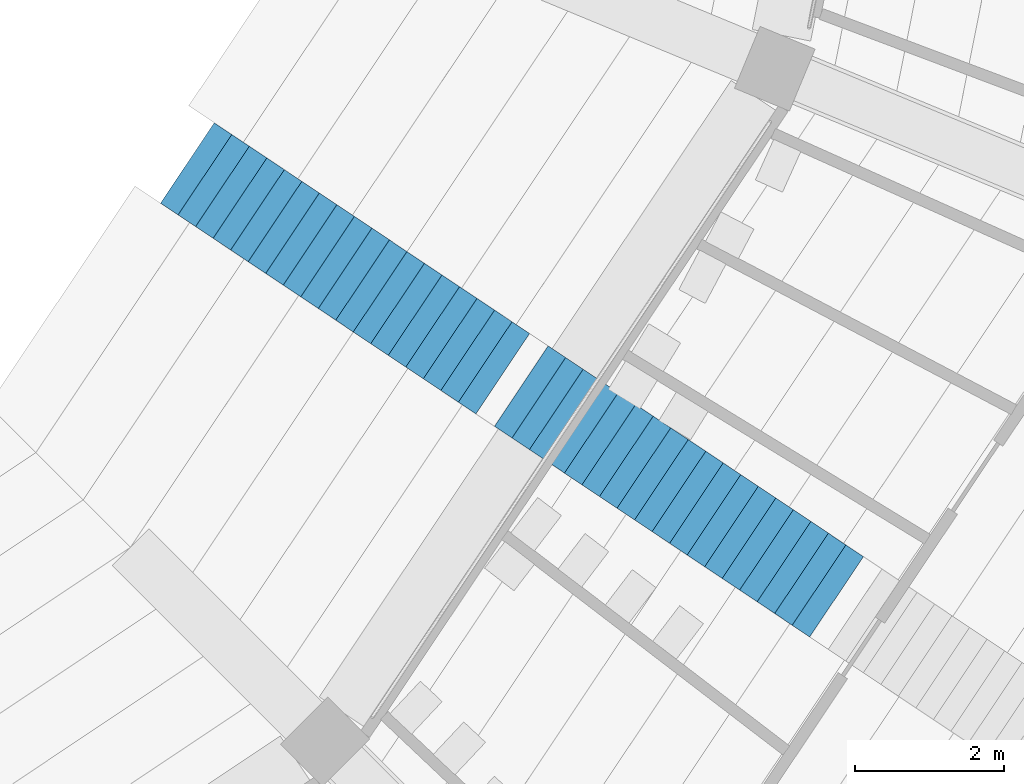
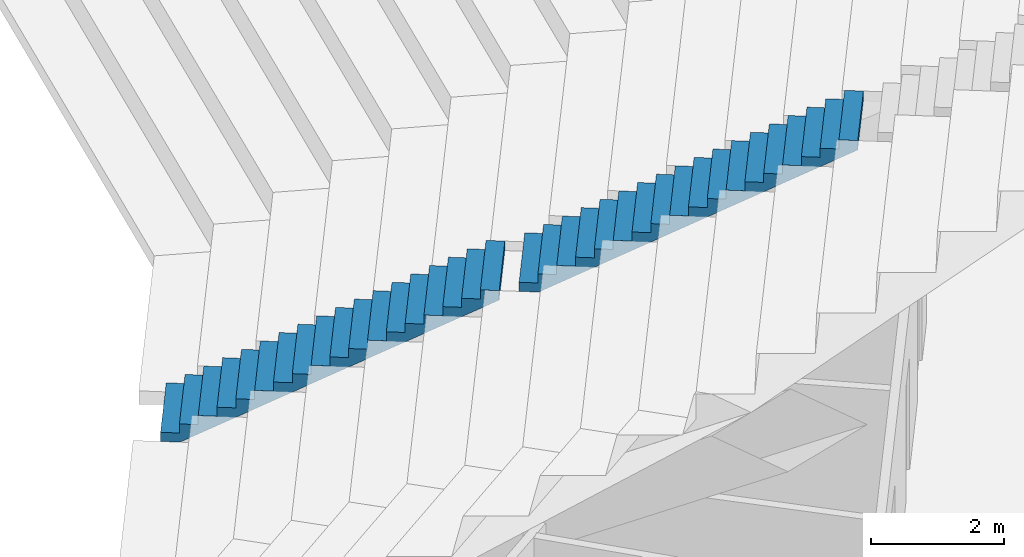
# One storey, part 173 of 249: 2 stair flights, 1 element without a shape of its own.
"""IFC4 building model written with IfcOpenShell, lengths in metres."""

from ifc_helpers import new_model, si_unit, direction, frame, origin, place, context, subcontext, project, spatial, faceted_brep, material, type_object, element, aggregate, save


model = new_model("IFC4")

# Units and contexts
model_context = context("Model", 3, precision=1e-05, world=origin(), true_north=direction((0.0, 1.0)))
body_context = subcontext(model_context, "Body", "Model", "MODEL_VIEW")
ifc_project = project(units=[si_unit("LENGTHUNIT", "METRE"), si_unit("AREAUNIT", "SQUARE_METRE"), si_unit("VOLUMEUNIT", "CUBIC_METRE"), si_unit("PLANEANGLEUNIT", "RADIAN"), si_unit("MASSUNIT", "GRAM", prefix="KILO")], contexts=[model_context])

# Site, building, storey
site_placement = place(None, origin())
site = spatial("IfcSite", under=ifc_project, at=site_placement, CompositionType="ELEMENT")
building_placement = place(site_placement, origin())
building = spatial("IfcBuilding", under=site, at=building_placement, Name="Ogive Plaza Stadium", CompositionType="ELEMENT")
storey_placement = place(building_placement, frame((0.0, 0.0, 13.5)))
storey = spatial("IfcBuildingStorey", under=building, at=storey_placement, Name="L03", CompositionType="ELEMENT", Elevation=13.5)

# Stair, stair flights
ifc_material_1 = material(Name="Concrete C40/50", Category="concrete")
stair_type = type_object("IfcStairType", Name="Aisle stair", PredefinedType="STRAIGHT_RUN_STAIR", material=ifc_material_1)
stair_placement = place(storey_placement, origin())
stair = element("IfcStair", 1, at=stair_placement, inside=storey, type_object=stair_type, Name="Aisle stair SA09U", PredefinedType="STRAIGHT_RUN_STAIR")
ifc_material_2 = material(Name="Concrete C40/50", Category="concrete")
stair_flight_type = type_object("IfcStairFlightType", Name="Aisle stair flight", PredefinedType="STRAIGHT", material=ifc_material_2)
stair_flight_1_placement = place(storey_placement, frame((51.876708984375, -64.44482421875, 0.5), z_axis=(0.0, 0.0, 1.0), x_axis=(0.831469612303, -0.55557023302, 0.0)))
stair_flight_1 = element("IfcStairFlight", 2, at=stair_flight_1_placement, type_object=stair_flight_type, Name="SA09U flight 1", NumberOfRisers=18, NumberOfTreads=17, PredefinedType="STRAIGHT", RiserHeight=0.166666667, TreadLength=0.283333333, context=body_context, shape_type="Brep", body=[
    faceted_brep([(0.295654296875, -0.64990234375, 0.0), (5.10009765625, -0.64990234375, 2.826171875), (5.10009765625, -0.64990234375, 3.0), (4.816650390625, -0.64990234375, 3.0), (4.816650390625, -0.64990234375, 2.833251953125), (4.533447265625, -0.64990234375, 2.833251953125), (4.533447265625, -0.64990234375, 2.666748046875), (4.25, -0.64990234375, 2.666748046875), (4.25, -0.64990234375, 2.5), (3.966552734375, -0.64990234375, 2.5), (3.966552734375, -0.64990234375, 2.333251953125), (3.683349609375, -0.64990234375, 2.333251953125), (3.683349609375, -0.64990234375, 2.166748046875), (3.39990234375, -0.64990234375, 2.166748046875), (3.39990234375, -0.64990234375, 2.0), (3.11669921875, -0.64990234375, 2.0), (3.11669921875, -0.64990234375, 1.833251953125), (2.833251953125, -0.64990234375, 1.833251953125), (2.833251953125, -0.64990234375, 1.666748046875), (2.550048828125, -0.64990234375, 1.666748046875), (2.550048828125, -0.64990234375, 1.5), (2.2666015625, -0.64990234375, 1.5), (2.2666015625, -0.64990234375, 1.333251953125), (1.9833984375, -0.64990234375, 1.333251953125), (1.9833984375, -0.64990234375, 1.166748046875), (1.699951171875, -0.64990234375, 1.166748046875), (1.699951171875, -0.64990234375, 1.0), (1.416748046875, -0.64990234375, 1.0), (1.416748046875, -0.64990234375, 0.833251953125), (1.13330078125, -0.64990234375, 0.833251953125), (1.13330078125, -0.64990234375, 0.666748046875), (0.85009765625, -0.64990234375, 0.666748046875), (0.85009765625, -0.64990234375, 0.5), (0.566650390625, -0.64990234375, 0.5), (0.566650390625, -0.64990234375, 0.333251953125), (0.283447265625, -0.64990234375, 0.333251953125), (0.283447265625, -0.64990234375, 0.166748046875), (0.0, -0.64990234375, 0.166748046875), (0.0, -0.64990234375, 0.0), (0.0, 0.64990234375, 0.0), (0.0, 0.64990234375, 0.166748046875), (0.283447265625, 0.64990234375, 0.166748046875), (0.283447265625, 0.64990234375, 0.333251953125), (0.566650390625, 0.64990234375, 0.333251953125), (0.566650390625, 0.64990234375, 0.5), (0.85009765625, 0.64990234375, 0.5), (0.85009765625, 0.64990234375, 0.666748046875), (1.13330078125, 0.64990234375, 0.666748046875), (1.13330078125, 0.64990234375, 0.833251953125), (1.416748046875, 0.64990234375, 0.833251953125), (1.416748046875, 0.64990234375, 1.0), (1.699951171875, 0.64990234375, 1.0), (1.699951171875, 0.64990234375, 1.166748046875), (1.9833984375, 0.64990234375, 1.166748046875), (1.9833984375, 0.64990234375, 1.333251953125), (2.2666015625, 0.64990234375, 1.333251953125), (2.2666015625, 0.64990234375, 1.5), (2.550048828125, 0.64990234375, 1.5), (2.550048828125, 0.64990234375, 1.666748046875), (2.833251953125, 0.64990234375, 1.666748046875), (2.833251953125, 0.64990234375, 1.833251953125), (3.11669921875, 0.64990234375, 1.833251953125), (3.11669921875, 0.64990234375, 2.0), (3.39990234375, 0.64990234375, 2.0), (3.39990234375, 0.64990234375, 2.166748046875), (3.683349609375, 0.64990234375, 2.166748046875), (3.683349609375, 0.64990234375, 2.333251953125), (3.966552734375, 0.64990234375, 2.333251953125), (3.966552734375, 0.64990234375, 2.5), (4.25, 0.64990234375, 2.5), (4.25, 0.64990234375, 2.666748046875), (4.533447265625, 0.64990234375, 2.666748046875), (4.533447265625, 0.64990234375, 2.833251953125), (4.816650390625, 0.64990234375, 2.833251953125), (4.816650390625, 0.64990234375, 3.0), (5.10009765625, 0.64990234375, 3.0), (5.10009765625, 0.64990234375, 2.826171875), (0.295654296875, 0.64990234375, 0.0), (0.295654296875, -0.324951171875, 0.0), (5.10009765625, -0.324951171875, 2.826171875), (0.295654296875, 0.0, 0.0), (5.10009765625, 0.0, 2.826171875), (0.295654296875, 0.324951171875, 0.0), (5.10009765625, 0.324951171875, 2.826171875), (5.10009765625, -0.324951171875, 3.0), (5.10009765625, 0.0, 3.0), (5.10009765625, 0.324951171875, 3.0), (4.816650390625, -0.324951171875, 3.0), (4.816650390625, 0.0, 3.0), (4.816650390625, 0.324951171875, 3.0), (4.816650390625, -0.324951171875, 2.833251953125), (4.816650390625, 0.0, 2.833251953125), (4.816650390625, 0.324951171875, 2.833251953125), (4.533447265625, -0.324951171875, 2.833251953125), (4.533447265625, 0.0, 2.833251953125), (4.533447265625, 0.324951171875, 2.833251953125), (4.533447265625, -0.324951171875, 2.666748046875), (4.533447265625, 0.0, 2.666748046875), (4.533447265625, 0.324951171875, 2.666748046875), (4.25, -0.324951171875, 2.666748046875), (4.25, 0.0, 2.666748046875), (4.25, 0.324951171875, 2.666748046875), (4.25, -0.324951171875, 2.5), (4.25, 0.0, 2.5), (4.25, 0.324951171875, 2.5), (3.966552734375, -0.324951171875, 2.5), (3.966552734375, 0.0, 2.5), (3.966552734375, 0.324951171875, 2.5), (3.966552734375, -0.324951171875, 2.333251953125), (3.966552734375, 0.0, 2.333251953125), (3.966552734375, 0.324951171875, 2.333251953125), (3.683349609375, -0.324951171875, 2.333251953125), (3.683349609375, 0.0, 2.333251953125), (3.683349609375, 0.324951171875, 2.333251953125), (3.683349609375, -0.324951171875, 2.166748046875), (3.683349609375, 0.0, 2.166748046875), (3.683349609375, 0.324951171875, 2.166748046875), (3.39990234375, -0.324951171875, 2.166748046875), (3.39990234375, 0.0, 2.166748046875), (3.39990234375, 0.324951171875, 2.166748046875), (3.39990234375, -0.324951171875, 2.0), (3.39990234375, 0.0, 2.0), (3.39990234375, 0.324951171875, 2.0), (3.11669921875, -0.324951171875, 2.0), (3.11669921875, 0.0, 2.0), (3.11669921875, 0.324951171875, 2.0), (3.11669921875, -0.324951171875, 1.833251953125), (3.11669921875, 0.0, 1.833251953125), (3.11669921875, 0.324951171875, 1.833251953125), (2.833251953125, -0.324951171875, 1.833251953125), (2.833251953125, 0.0, 1.833251953125), (2.833251953125, 0.324951171875, 1.833251953125), (2.833251953125, -0.324951171875, 1.666748046875), (2.833251953125, 0.0, 1.666748046875), (2.833251953125, 0.324951171875, 1.666748046875), (2.550048828125, -0.324951171875, 1.666748046875), (2.550048828125, 0.0, 1.666748046875), (2.550048828125, 0.324951171875, 1.666748046875), (2.550048828125, -0.324951171875, 1.5), (2.550048828125, 0.0, 1.5), (2.550048828125, 0.324951171875, 1.5), (2.2666015625, -0.324951171875, 1.5), (2.2666015625, 0.0, 1.5), (2.2666015625, 0.324951171875, 1.5), (2.2666015625, -0.324951171875, 1.333251953125), (2.2666015625, 0.0, 1.333251953125), (2.2666015625, 0.324951171875, 1.333251953125), (1.9833984375, -0.324951171875, 1.333251953125), (1.9833984375, 0.0, 1.333251953125), (1.9833984375, 0.324951171875, 1.333251953125), (1.9833984375, -0.324951171875, 1.166748046875), (1.9833984375, 0.0, 1.166748046875), (1.9833984375, 0.324951171875, 1.166748046875), (1.699951171875, -0.324951171875, 1.166748046875), (1.699951171875, 0.0, 1.166748046875), (1.699951171875, 0.324951171875, 1.166748046875), (1.699951171875, -0.324951171875, 1.0), (1.699951171875, 0.0, 1.0), (1.699951171875, 0.324951171875, 1.0), (1.416748046875, -0.324951171875, 1.0), (1.416748046875, 0.0, 1.0), (1.416748046875, 0.324951171875, 1.0), (1.416748046875, -0.324951171875, 0.833251953125), (1.416748046875, 0.0, 0.833251953125), (1.416748046875, 0.324951171875, 0.833251953125), (1.13330078125, -0.324951171875, 0.833251953125), (1.13330078125, 0.0, 0.833251953125), (1.13330078125, 0.324951171875, 0.833251953125), (1.13330078125, -0.324951171875, 0.666748046875), (1.13330078125, 0.0, 0.666748046875), (1.13330078125, 0.324951171875, 0.666748046875), (0.85009765625, -0.324951171875, 0.666748046875), (0.85009765625, 0.0, 0.666748046875), (0.85009765625, 0.324951171875, 0.666748046875), (0.85009765625, -0.324951171875, 0.5), (0.85009765625, 0.0, 0.5), (0.85009765625, 0.324951171875, 0.5), (0.566650390625, -0.324951171875, 0.5), (0.566650390625, 0.0, 0.5), (0.566650390625, 0.324951171875, 0.5), (0.566650390625, -0.324951171875, 0.333251953125), (0.566650390625, 0.0, 0.333251953125), (0.566650390625, 0.324951171875, 0.333251953125), (0.283447265625, -0.324951171875, 0.333251953125), (0.283447265625, 0.0, 0.333251953125), (0.283447265625, 0.324951171875, 0.333251953125), (0.283447265625, -0.324951171875, 0.166748046875), (0.283447265625, 0.0, 0.166748046875), (0.283447265625, 0.324951171875, 0.166748046875), (0.0, -0.324951171875, 0.166748046875), (0.0, 0.0, 0.166748046875), (0.0, 0.324951171875, 0.166748046875), (0.0, -0.324951171875, 0.0), (0.0, 0.0, 0.0), (0.0, 0.324951171875, 0.0)], [[[0, 1, 2, 3, 4, 5, 6, 7, 8, 9, 10, 11, 12, 13, 14, 15, 16, 17, 18, 19, 20, 21, 22, 23, 24, 25, 26, 27, 28, 29, 30, 31, 32, 33, 34, 35, 36, 37, 38]], [[39, 40, 41, 42, 43, 44, 45, 46, 47, 48, 49, 50, 51, 52, 53, 54, 55, 56, 57, 58, 59, 60, 61, 62, 63, 64, 65, 66, 67, 68, 69, 70, 71, 72, 73, 74, 75, 76, 77]], [[0, 78, 79, 1]], [[78, 80, 81, 79]], [[80, 82, 83, 81]], [[82, 77, 76, 83]], [[1, 79, 84, 2]], [[79, 81, 85, 84]], [[81, 83, 86, 85]], [[83, 76, 75, 86]], [[2, 84, 87, 3]], [[84, 85, 88, 87]], [[85, 86, 89, 88]], [[86, 75, 74, 89]], [[3, 87, 90, 4]], [[87, 88, 91, 90]], [[88, 89, 92, 91]], [[89, 74, 73, 92]], [[4, 90, 93, 5]], [[90, 91, 94, 93]], [[91, 92, 95, 94]], [[92, 73, 72, 95]], [[5, 93, 96, 6]], [[93, 94, 97, 96]], [[94, 95, 98, 97]], [[95, 72, 71, 98]], [[6, 96, 99, 7]], [[96, 97, 100, 99]], [[97, 98, 101, 100]], [[98, 71, 70, 101]], [[7, 99, 102, 8]], [[99, 100, 103, 102]], [[100, 101, 104, 103]], [[101, 70, 69, 104]], [[8, 102, 105, 9]], [[102, 103, 106, 105]], [[103, 104, 107, 106]], [[104, 69, 68, 107]], [[9, 105, 108, 10]], [[105, 106, 109, 108]], [[106, 107, 110, 109]], [[107, 68, 67, 110]], [[10, 108, 111, 11]], [[108, 109, 112, 111]], [[109, 110, 113, 112]], [[110, 67, 66, 113]], [[11, 111, 114, 12]], [[111, 112, 115, 114]], [[112, 113, 116, 115]], [[113, 66, 65, 116]], [[12, 114, 117, 13]], [[114, 115, 118, 117]], [[115, 116, 119, 118]], [[116, 65, 64, 119]], [[13, 117, 120, 14]], [[117, 118, 121, 120]], [[118, 119, 122, 121]], [[119, 64, 63, 122]], [[14, 120, 123, 15]], [[120, 121, 124, 123]], [[121, 122, 125, 124]], [[122, 63, 62, 125]], [[15, 123, 126, 16]], [[123, 124, 127, 126]], [[124, 125, 128, 127]], [[125, 62, 61, 128]], [[16, 126, 129, 17]], [[126, 127, 130, 129]], [[127, 128, 131, 130]], [[128, 61, 60, 131]], [[17, 129, 132, 18]], [[129, 130, 133, 132]], [[130, 131, 134, 133]], [[131, 60, 59, 134]], [[18, 132, 135, 19]], [[132, 133, 136, 135]], [[133, 134, 137, 136]], [[134, 59, 58, 137]], [[19, 135, 138, 20]], [[135, 136, 139, 138]], [[136, 137, 140, 139]], [[137, 58, 57, 140]], [[20, 138, 141, 21]], [[138, 139, 142, 141]], [[139, 140, 143, 142]], [[140, 57, 56, 143]], [[21, 141, 144, 22]], [[141, 142, 145, 144]], [[142, 143, 146, 145]], [[143, 56, 55, 146]], [[22, 144, 147, 23]], [[144, 145, 148, 147]], [[145, 146, 149, 148]], [[146, 55, 54, 149]], [[23, 147, 150, 24]], [[147, 148, 151, 150]], [[148, 149, 152, 151]], [[149, 54, 53, 152]], [[24, 150, 153, 25]], [[150, 151, 154, 153]], [[151, 152, 155, 154]], [[152, 53, 52, 155]], [[25, 153, 156, 26]], [[153, 154, 157, 156]], [[154, 155, 158, 157]], [[155, 52, 51, 158]], [[26, 156, 159, 27]], [[156, 157, 160, 159]], [[157, 158, 161, 160]], [[158, 51, 50, 161]], [[27, 159, 162, 28]], [[159, 160, 163, 162]], [[160, 161, 164, 163]], [[161, 50, 49, 164]], [[28, 162, 165, 29]], [[162, 163, 166, 165]], [[163, 164, 167, 166]], [[164, 49, 48, 167]], [[29, 165, 168, 30]], [[165, 166, 169, 168]], [[166, 167, 170, 169]], [[167, 48, 47, 170]], [[30, 168, 171, 31]], [[168, 169, 172, 171]], [[169, 170, 173, 172]], [[170, 47, 46, 173]], [[31, 171, 174, 32]], [[171, 172, 175, 174]], [[172, 173, 176, 175]], [[173, 46, 45, 176]], [[32, 174, 177, 33]], [[174, 175, 178, 177]], [[175, 176, 179, 178]], [[176, 45, 44, 179]], [[33, 177, 180, 34]], [[177, 178, 181, 180]], [[178, 179, 182, 181]], [[179, 44, 43, 182]], [[34, 180, 183, 35]], [[180, 181, 184, 183]], [[181, 182, 185, 184]], [[182, 43, 42, 185]], [[35, 183, 186, 36]], [[183, 184, 187, 186]], [[184, 185, 188, 187]], [[185, 42, 41, 188]], [[36, 186, 189, 37]], [[186, 187, 190, 189]], [[187, 188, 191, 190]], [[188, 41, 40, 191]], [[37, 189, 192, 38]], [[189, 190, 193, 192]], [[190, 191, 194, 193]], [[191, 40, 39, 194]], [[38, 192, 78, 0]], [[192, 193, 80, 78]], [[193, 194, 82, 80]], [[194, 39, 77, 82]]]),
])
stair_flight_2_placement = place(storey_placement, frame((56.366455078125, -67.44482421875, 3.5), z_axis=(0.0, 0.0, 1.0), x_axis=(0.831469612303, -0.55557023302, 0.0)))
stair_flight_2 = element("IfcStairFlight", 3, at=stair_flight_2_placement, type_object=stair_flight_type, Name="SA09U flight 2", NumberOfRisers=18, NumberOfTreads=17, PredefinedType="STRAIGHT", RiserHeight=0.166666667, TreadLength=0.283333333, context=body_context, shape_type="Brep", body=[
    faceted_brep([(0.295654296875, -0.64990234375, 0.0), (5.10009765625, -0.64990234375, 2.826171875), (5.10009765625, -0.64990234375, 3.0), (4.816650390625, -0.64990234375, 3.0), (4.816650390625, -0.64990234375, 2.833251953125), (4.533447265625, -0.64990234375, 2.833251953125), (4.533447265625, -0.64990234375, 2.666748046875), (4.25, -0.64990234375, 2.666748046875), (4.25, -0.64990234375, 2.5), (3.966552734375, -0.64990234375, 2.5), (3.966552734375, -0.64990234375, 2.333251953125), (3.683349609375, -0.64990234375, 2.333251953125), (3.683349609375, -0.64990234375, 2.166748046875), (3.39990234375, -0.64990234375, 2.166748046875), (3.39990234375, -0.64990234375, 2.0), (3.11669921875, -0.64990234375, 2.0), (3.11669921875, -0.64990234375, 1.833251953125), (2.833251953125, -0.64990234375, 1.833251953125), (2.833251953125, -0.64990234375, 1.666748046875), (2.550048828125, -0.64990234375, 1.666748046875), (2.550048828125, -0.64990234375, 1.5), (2.2666015625, -0.64990234375, 1.5), (2.2666015625, -0.64990234375, 1.333251953125), (1.9833984375, -0.64990234375, 1.333251953125), (1.9833984375, -0.64990234375, 1.166748046875), (1.699951171875, -0.64990234375, 1.166748046875), (1.699951171875, -0.64990234375, 1.0), (1.416748046875, -0.64990234375, 1.0), (1.416748046875, -0.64990234375, 0.833251953125), (1.13330078125, -0.64990234375, 0.833251953125), (1.13330078125, -0.64990234375, 0.666748046875), (0.85009765625, -0.64990234375, 0.666748046875), (0.85009765625, -0.64990234375, 0.5), (0.566650390625, -0.64990234375, 0.5), (0.566650390625, -0.64990234375, 0.333251953125), (0.283447265625, -0.64990234375, 0.333251953125), (0.283447265625, -0.64990234375, 0.166748046875), (0.0, -0.64990234375, 0.166748046875), (0.0, -0.64990234375, 0.0), (0.0, 0.64990234375, 0.0), (0.0, 0.64990234375, 0.166748046875), (0.283447265625, 0.64990234375, 0.166748046875), (0.283447265625, 0.64990234375, 0.333251953125), (0.566650390625, 0.64990234375, 0.333251953125), (0.566650390625, 0.64990234375, 0.5), (0.85009765625, 0.64990234375, 0.5), (0.85009765625, 0.64990234375, 0.666748046875), (1.13330078125, 0.64990234375, 0.666748046875), (1.13330078125, 0.64990234375, 0.833251953125), (1.416748046875, 0.64990234375, 0.833251953125), (1.416748046875, 0.64990234375, 1.0), (1.699951171875, 0.64990234375, 1.0), (1.699951171875, 0.64990234375, 1.166748046875), (1.9833984375, 0.64990234375, 1.166748046875), (1.9833984375, 0.64990234375, 1.333251953125), (2.2666015625, 0.64990234375, 1.333251953125), (2.2666015625, 0.64990234375, 1.5), (2.550048828125, 0.64990234375, 1.5), (2.550048828125, 0.64990234375, 1.666748046875), (2.833251953125, 0.64990234375, 1.666748046875), (2.833251953125, 0.64990234375, 1.833251953125), (3.11669921875, 0.64990234375, 1.833251953125), (3.11669921875, 0.64990234375, 2.0), (3.39990234375, 0.64990234375, 2.0), (3.39990234375, 0.64990234375, 2.166748046875), (3.683349609375, 0.64990234375, 2.166748046875), (3.683349609375, 0.64990234375, 2.333251953125), (3.966552734375, 0.64990234375, 2.333251953125), (3.966552734375, 0.64990234375, 2.5), (4.25, 0.64990234375, 2.5), (4.25, 0.64990234375, 2.666748046875), (4.533447265625, 0.64990234375, 2.666748046875), (4.533447265625, 0.64990234375, 2.833251953125), (4.816650390625, 0.64990234375, 2.833251953125), (4.816650390625, 0.64990234375, 3.0), (5.10009765625, 0.64990234375, 3.0), (5.10009765625, 0.64990234375, 2.826171875), (0.295654296875, 0.64990234375, 0.0), (0.295654296875, -0.324951171875, 0.0), (5.10009765625, -0.324951171875, 2.826171875), (0.295654296875, 0.0, 0.0), (5.10009765625, 0.0, 2.826171875), (0.295654296875, 0.324951171875, 0.0), (5.10009765625, 0.324951171875, 2.826171875), (5.10009765625, -0.324951171875, 3.0), (5.10009765625, 0.0, 3.0), (5.10009765625, 0.324951171875, 3.0), (4.816650390625, -0.324951171875, 3.0), (4.816650390625, 0.0, 3.0), (4.816650390625, 0.324951171875, 3.0), (4.816650390625, -0.324951171875, 2.833251953125), (4.816650390625, 0.0, 2.833251953125), (4.816650390625, 0.324951171875, 2.833251953125), (4.533447265625, -0.324951171875, 2.833251953125), (4.533447265625, 0.0, 2.833251953125), (4.533447265625, 0.324951171875, 2.833251953125), (4.533447265625, -0.324951171875, 2.666748046875), (4.533447265625, 0.0, 2.666748046875), (4.533447265625, 0.324951171875, 2.666748046875), (4.25, -0.324951171875, 2.666748046875), (4.25, 0.0, 2.666748046875), (4.25, 0.324951171875, 2.666748046875), (4.25, -0.324951171875, 2.5), (4.25, 0.0, 2.5), (4.25, 0.324951171875, 2.5), (3.966552734375, -0.324951171875, 2.5), (3.966552734375, 0.0, 2.5), (3.966552734375, 0.324951171875, 2.5), (3.966552734375, -0.324951171875, 2.333251953125), (3.966552734375, 0.0, 2.333251953125), (3.966552734375, 0.324951171875, 2.333251953125), (3.683349609375, -0.324951171875, 2.333251953125), (3.683349609375, 0.0, 2.333251953125), (3.683349609375, 0.324951171875, 2.333251953125), (3.683349609375, -0.324951171875, 2.166748046875), (3.683349609375, 0.0, 2.166748046875), (3.683349609375, 0.324951171875, 2.166748046875), (3.39990234375, -0.324951171875, 2.166748046875), (3.39990234375, 0.0, 2.166748046875), (3.39990234375, 0.324951171875, 2.166748046875), (3.39990234375, -0.324951171875, 2.0), (3.39990234375, 0.0, 2.0), (3.39990234375, 0.324951171875, 2.0), (3.11669921875, -0.324951171875, 2.0), (3.11669921875, 0.0, 2.0), (3.11669921875, 0.324951171875, 2.0), (3.11669921875, -0.324951171875, 1.833251953125), (3.11669921875, 0.0, 1.833251953125), (3.11669921875, 0.324951171875, 1.833251953125), (2.833251953125, -0.324951171875, 1.833251953125), (2.833251953125, 0.0, 1.833251953125), (2.833251953125, 0.324951171875, 1.833251953125), (2.833251953125, -0.324951171875, 1.666748046875), (2.833251953125, 0.0, 1.666748046875), (2.833251953125, 0.324951171875, 1.666748046875), (2.550048828125, -0.324951171875, 1.666748046875), (2.550048828125, 0.0, 1.666748046875), (2.550048828125, 0.324951171875, 1.666748046875), (2.550048828125, -0.324951171875, 1.5), (2.550048828125, 0.0, 1.5), (2.550048828125, 0.324951171875, 1.5), (2.2666015625, -0.324951171875, 1.5), (2.2666015625, 0.0, 1.5), (2.2666015625, 0.324951171875, 1.5), (2.2666015625, -0.324951171875, 1.333251953125), (2.2666015625, 0.0, 1.333251953125), (2.2666015625, 0.324951171875, 1.333251953125), (1.9833984375, -0.324951171875, 1.333251953125), (1.9833984375, 0.0, 1.333251953125), (1.9833984375, 0.324951171875, 1.333251953125), (1.9833984375, -0.324951171875, 1.166748046875), (1.9833984375, 0.0, 1.166748046875), (1.9833984375, 0.324951171875, 1.166748046875), (1.699951171875, -0.324951171875, 1.166748046875), (1.699951171875, 0.0, 1.166748046875), (1.699951171875, 0.324951171875, 1.166748046875), (1.699951171875, -0.324951171875, 1.0), (1.699951171875, 0.0, 1.0), (1.699951171875, 0.324951171875, 1.0), (1.416748046875, -0.324951171875, 1.0), (1.416748046875, 0.0, 1.0), (1.416748046875, 0.324951171875, 1.0), (1.416748046875, -0.324951171875, 0.833251953125), (1.416748046875, 0.0, 0.833251953125), (1.416748046875, 0.324951171875, 0.833251953125), (1.13330078125, -0.324951171875, 0.833251953125), (1.13330078125, 0.0, 0.833251953125), (1.13330078125, 0.324951171875, 0.833251953125), (1.13330078125, -0.324951171875, 0.666748046875), (1.13330078125, 0.0, 0.666748046875), (1.13330078125, 0.324951171875, 0.666748046875), (0.85009765625, -0.324951171875, 0.666748046875), (0.85009765625, 0.0, 0.666748046875), (0.85009765625, 0.324951171875, 0.666748046875), (0.85009765625, -0.324951171875, 0.5), (0.85009765625, 0.0, 0.5), (0.85009765625, 0.324951171875, 0.5), (0.566650390625, -0.324951171875, 0.5), (0.566650390625, 0.0, 0.5), (0.566650390625, 0.324951171875, 0.5), (0.566650390625, -0.324951171875, 0.333251953125), (0.566650390625, 0.0, 0.333251953125), (0.566650390625, 0.324951171875, 0.333251953125), (0.283447265625, -0.324951171875, 0.333251953125), (0.283447265625, 0.0, 0.333251953125), (0.283447265625, 0.324951171875, 0.333251953125), (0.283447265625, -0.324951171875, 0.166748046875), (0.283447265625, 0.0, 0.166748046875), (0.283447265625, 0.324951171875, 0.166748046875), (0.0, -0.324951171875, 0.166748046875), (0.0, 0.0, 0.166748046875), (0.0, 0.324951171875, 0.166748046875), (0.0, -0.324951171875, 0.0), (0.0, 0.0, 0.0), (0.0, 0.324951171875, 0.0)], [[[0, 1, 2, 3, 4, 5, 6, 7, 8, 9, 10, 11, 12, 13, 14, 15, 16, 17, 18, 19, 20, 21, 22, 23, 24, 25, 26, 27, 28, 29, 30, 31, 32, 33, 34, 35, 36, 37, 38]], [[39, 40, 41, 42, 43, 44, 45, 46, 47, 48, 49, 50, 51, 52, 53, 54, 55, 56, 57, 58, 59, 60, 61, 62, 63, 64, 65, 66, 67, 68, 69, 70, 71, 72, 73, 74, 75, 76, 77]], [[0, 78, 79, 1]], [[78, 80, 81, 79]], [[80, 82, 83, 81]], [[82, 77, 76, 83]], [[1, 79, 84, 2]], [[79, 81, 85, 84]], [[81, 83, 86, 85]], [[83, 76, 75, 86]], [[2, 84, 87, 3]], [[84, 85, 88, 87]], [[85, 86, 89, 88]], [[86, 75, 74, 89]], [[3, 87, 90, 4]], [[87, 88, 91, 90]], [[88, 89, 92, 91]], [[89, 74, 73, 92]], [[4, 90, 93, 5]], [[90, 91, 94, 93]], [[91, 92, 95, 94]], [[92, 73, 72, 95]], [[5, 93, 96, 6]], [[93, 94, 97, 96]], [[94, 95, 98, 97]], [[95, 72, 71, 98]], [[6, 96, 99, 7]], [[96, 97, 100, 99]], [[97, 98, 101, 100]], [[98, 71, 70, 101]], [[7, 99, 102, 8]], [[99, 100, 103, 102]], [[100, 101, 104, 103]], [[101, 70, 69, 104]], [[8, 102, 105, 9]], [[102, 103, 106, 105]], [[103, 104, 107, 106]], [[104, 69, 68, 107]], [[9, 105, 108, 10]], [[105, 106, 109, 108]], [[106, 107, 110, 109]], [[107, 68, 67, 110]], [[10, 108, 111, 11]], [[108, 109, 112, 111]], [[109, 110, 113, 112]], [[110, 67, 66, 113]], [[11, 111, 114, 12]], [[111, 112, 115, 114]], [[112, 113, 116, 115]], [[113, 66, 65, 116]], [[12, 114, 117, 13]], [[114, 115, 118, 117]], [[115, 116, 119, 118]], [[116, 65, 64, 119]], [[13, 117, 120, 14]], [[117, 118, 121, 120]], [[118, 119, 122, 121]], [[119, 64, 63, 122]], [[14, 120, 123, 15]], [[120, 121, 124, 123]], [[121, 122, 125, 124]], [[122, 63, 62, 125]], [[15, 123, 126, 16]], [[123, 124, 127, 126]], [[124, 125, 128, 127]], [[125, 62, 61, 128]], [[16, 126, 129, 17]], [[126, 127, 130, 129]], [[127, 128, 131, 130]], [[128, 61, 60, 131]], [[17, 129, 132, 18]], [[129, 130, 133, 132]], [[130, 131, 134, 133]], [[131, 60, 59, 134]], [[18, 132, 135, 19]], [[132, 133, 136, 135]], [[133, 134, 137, 136]], [[134, 59, 58, 137]], [[19, 135, 138, 20]], [[135, 136, 139, 138]], [[136, 137, 140, 139]], [[137, 58, 57, 140]], [[20, 138, 141, 21]], [[138, 139, 142, 141]], [[139, 140, 143, 142]], [[140, 57, 56, 143]], [[21, 141, 144, 22]], [[141, 142, 145, 144]], [[142, 143, 146, 145]], [[143, 56, 55, 146]], [[22, 144, 147, 23]], [[144, 145, 148, 147]], [[145, 146, 149, 148]], [[146, 55, 54, 149]], [[23, 147, 150, 24]], [[147, 148, 151, 150]], [[148, 149, 152, 151]], [[149, 54, 53, 152]], [[24, 150, 153, 25]], [[150, 151, 154, 153]], [[151, 152, 155, 154]], [[152, 53, 52, 155]], [[25, 153, 156, 26]], [[153, 154, 157, 156]], [[154, 155, 158, 157]], [[155, 52, 51, 158]], [[26, 156, 159, 27]], [[156, 157, 160, 159]], [[157, 158, 161, 160]], [[158, 51, 50, 161]], [[27, 159, 162, 28]], [[159, 160, 163, 162]], [[160, 161, 164, 163]], [[161, 50, 49, 164]], [[28, 162, 165, 29]], [[162, 163, 166, 165]], [[163, 164, 167, 166]], [[164, 49, 48, 167]], [[29, 165, 168, 30]], [[165, 166, 169, 168]], [[166, 167, 170, 169]], [[167, 48, 47, 170]], [[30, 168, 171, 31]], [[168, 169, 172, 171]], [[169, 170, 173, 172]], [[170, 47, 46, 173]], [[31, 171, 174, 32]], [[171, 172, 175, 174]], [[172, 173, 176, 175]], [[173, 46, 45, 176]], [[32, 174, 177, 33]], [[174, 175, 178, 177]], [[175, 176, 179, 178]], [[176, 45, 44, 179]], [[33, 177, 180, 34]], [[177, 178, 181, 180]], [[178, 179, 182, 181]], [[179, 44, 43, 182]], [[34, 180, 183, 35]], [[180, 181, 184, 183]], [[181, 182, 185, 184]], [[182, 43, 42, 185]], [[35, 183, 186, 36]], [[183, 184, 187, 186]], [[184, 185, 188, 187]], [[185, 42, 41, 188]], [[36, 186, 189, 37]], [[186, 187, 190, 189]], [[187, 188, 191, 190]], [[188, 41, 40, 191]], [[37, 189, 192, 38]], [[189, 190, 193, 192]], [[190, 191, 194, 193]], [[191, 40, 39, 194]], [[38, 192, 78, 0]], [[192, 193, 80, 78]], [[193, 194, 82, 80]], [[194, 39, 77, 82]]]),
])
aggregate(stair, [stair_flight_1, stair_flight_2])

save(model, "model.ifc")
